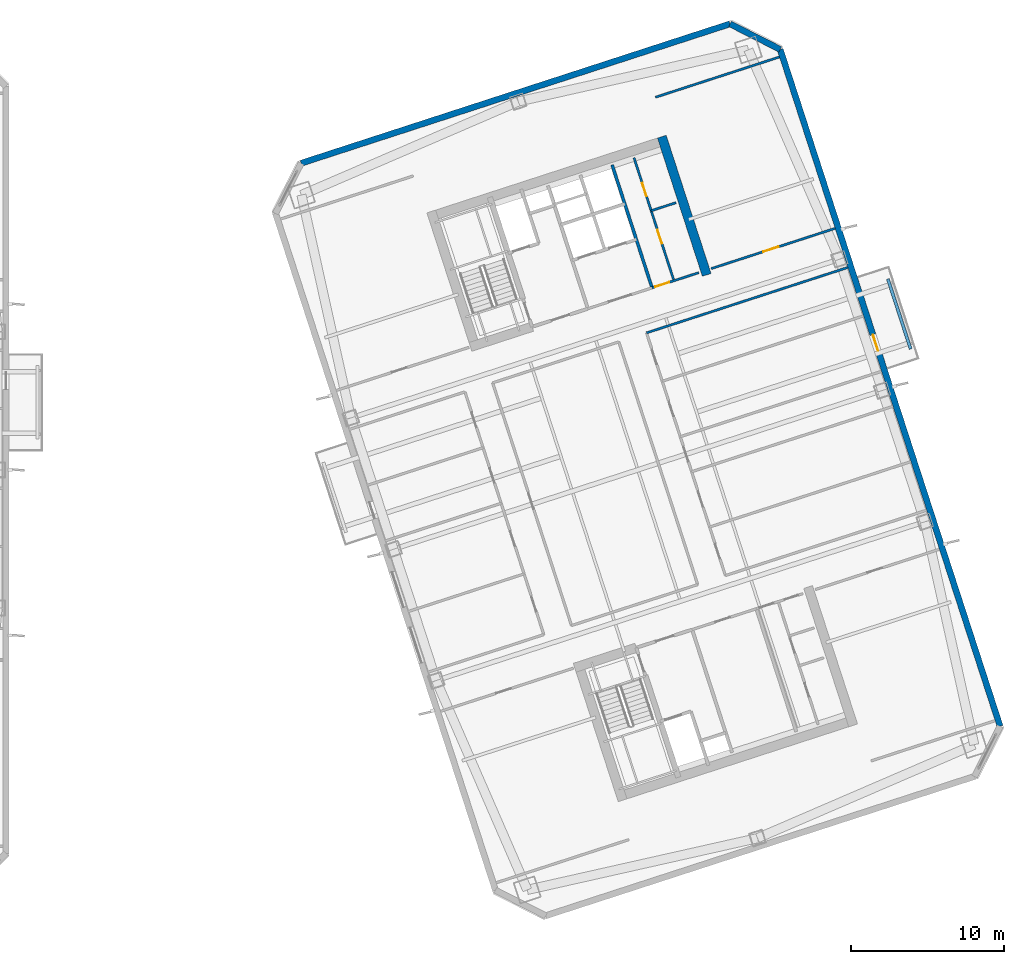
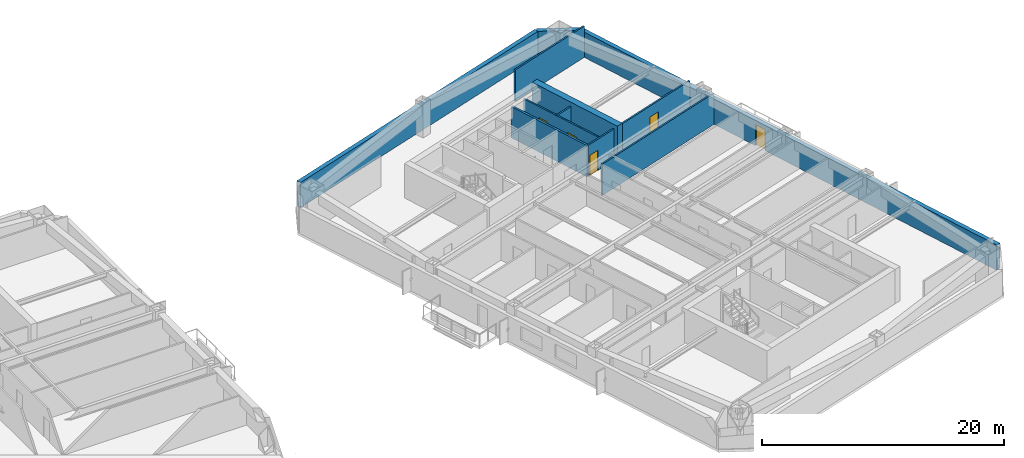
# One storey, part 16 of 23: 12 walls, 5 doors, 5 openings.
"""IFC4 building model written with IfcOpenShell, lengths in metres."""

from ifc_helpers import new_model, si_unit, direction, frame, frame_2d, origin, place, context, subcontext, project, spatial, rectangle, extrude, material, layer, layer_set, type_object, element, fill, save


model = new_model("IFC4")

# Units and contexts
model_context = context("Model", 3, precision=1e-05, world=origin(), true_north=direction((0.0, 1.0)))
body_context = subcontext(model_context, "Body", "Model", "MODEL_VIEW")
ifc_project = project(units=[si_unit("LENGTHUNIT", "METRE"), si_unit("AREAUNIT", "SQUARE_METRE"), si_unit("VOLUMEUNIT", "CUBIC_METRE"), si_unit("PLANEANGLEUNIT", "RADIAN"), si_unit("MASSUNIT", "GRAM", prefix="KILO")], contexts=[model_context])

# Site, building, storey
site_placement = place(None, origin())
site = spatial("IfcSite", under=ifc_project, at=site_placement, CompositionType="ELEMENT")
building_placement = place(site_placement, origin())
building = spatial("IfcBuilding", under=site, at=building_placement, Name="Qiaolan Cultural Towers", CompositionType="ELEMENT")
storey_placement = place(building_placement, frame((0.0, 0.0, 100.050048828125)))
storey = spatial("IfcBuildingStorey", under=building, at=storey_placement, Name="L25", CompositionType="ELEMENT", Elevation=100.050048828125)

# Walls
ifc_material_1 = material(Name="Concrete C55", Category="concrete")
ifc_layer_1 = layer(ifc_material_1, 0.60009765625)
ifc_layer_set_1 = layer_set([ifc_layer_1], Name="Concrete C55")
wall_type_1 = type_object("IfcWallType", Name="WL-CORE-600", PredefinedType="SHEAR", material=ifc_layer_set_1)
wall_1_placement = place(storey_placement, frame((94.4921875, 46.710205078125, 0.0), z_axis=(0.0, 0.0, 1.0), x_axis=(-0.309010370028, 0.95105866865, 0.0)))
element("IfcWall", 1, at=wall_1_placement, inside=storey, type_object=wall_type_1, Name="L25 T2-CN East Core Shear Wall", PredefinedType="SHEAR", context=body_context, shape_type="SweptSolid", body=[
    extrude(rectangle(XDim=9.47998046875, YDim=0.60009765625, at=frame_2d((4.739990234375, 0.0))), origin(), (0.0, 0.0, 1.0), 3.449951171875),
])
ifc_material_2 = material(Name="Precast Concrete C50 Honed Stone Pier", Category="masonry")
ifc_layer_2 = layer(ifc_material_2, 0.39990234375)
ifc_layer_set_2 = layer_set([ifc_layer_2], Name="Precast Concrete C50 Honed Stone Pier")
wall_type_2 = type_object("IfcWallType", Name="WL-EXT-PIER-400", PredefinedType="SOLIDWALL", material=ifc_layer_set_2)
wall_2_placement = place(storey_placement, frame((68.046875, 53.99462890625, 0.0), z_axis=(0.0, 0.0, 1.0), x_axis=(0.95105505922, 0.309021478754, 0.0)))
element("IfcWall", 2, at=wall_2_placement, inside=storey, type_object=wall_type_2, Name="L25 East Tower Precast Pier Facade Wall F3", PredefinedType="SOLIDWALL", context=body_context, shape_type="SweptSolid", body=[
    extrude(rectangle(XDim=29.39990234375, YDim=0.39990234375, at=frame_2d((14.699951171875, 0.0))), origin(), (0.0, 0.0, 1.0), 2.550048828125),
])
wall_3_placement = place(storey_placement, frame((96.0078125, 63.079833984375, 0.0), z_axis=(0.0, 0.0, 1.0), x_axis=(0.891001999643, -0.45399937955, 0.0)))
element("IfcWall", 3, at=wall_3_placement, inside=storey, type_object=wall_type_2, Name="L25 East Tower Precast Pier Facade Wall F4", PredefinedType="SOLIDWALL", context=body_context, shape_type="SweptSolid", body=[
    extrude(rectangle(XDim=3.67724609375, YDim=0.39990234375, at=frame_2d((1.838623046875, 0.0))), origin(), (0.0, 0.0, 1.0), 2.550048828125),
])

# Wall, opening, door
wall_4_placement = place(storey_placement, frame((99.2841796875, 61.410400390625, 0.0), z_axis=(0.0, 0.0, 1.0), x_axis=(0.309017542002, -0.95105633836, 0.0)))
wall_4 = element("IfcWall", 4, at=wall_4_placement, inside=storey, type_object=wall_type_2, Name="L25 East Tower Precast Pier Facade Wall F5", PredefinedType="SOLIDWALL", context=body_context, shape_type="SweptSolid", body=[
    extrude(rectangle(XDim=46.39990234375, YDim=0.39990234375, at=frame_2d((23.199951171875, 0.0))), origin(), (0.0, 0.0, 1.0), 2.550048828125),
])
opening_1_placement = place(wall_4_placement, frame((19.550048828125, 0.0, 0.0)))
opening_1 = element("IfcOpeningElement", 5, at=opening_1_placement, cuts=wall_4, Name="Opening BD-01", PredefinedType="OPENING", context=body_context, shape_type="SweptSolid", body=[
    extrude(rectangle(XDim=1.10009765625, YDim=2.14990234375, at=frame_2d((0.550048828125, 1.074951171875))), frame((0.0, 0.2099609375, 0.0), z_axis=(0.0, -1.0, 0.0), x_axis=(1.0, 0.0, 0.0)), (0.0, 0.0, 1.0), 0.419921875),
])
ifc_material_3 = material(Name="Thermally Broken Aluminium Glazed Terrace Door", Category="aluminium")
door_type_1 = type_object("IfcDoorType", Name="DR-BAL-1100", OperationType="NOTDEFINED", PredefinedType="DOOR", material=ifc_material_3)
door_1_placement = place(opening_1_placement, origin())
door_1 = element("IfcDoor", 6, at=door_1_placement, inside=storey, type_object=door_type_1, Name="L25 T2 East Tree Balcony Door", OperationType="SINGLE_SWING_RIGHT", OverallHeight=2.14990234375, OverallWidth=1.10009765625, PredefinedType="DOOR", context=body_context, shape_type="SweptSolid", body=[
    extrude(rectangle(XDim=1.10009765625, YDim=2.14990234375, at=frame_2d((0.550048828125, 1.074951171875))), frame((0.0, 0.02490234375, 0.0), z_axis=(0.0, -1.0, 0.0), x_axis=(1.0, 0.0, 0.0)), (0.0, 0.0, 1.0), 0.050048828125),
])
fill(opening_1, door_1)

# Wall
ifc_material_4 = material(Name="Concrete C35 Fire Wall", Category="concrete")
ifc_layer_3 = layer(ifc_material_4, 0.199951171875)
ifc_layer_set_3 = layer_set([ifc_layer_3], Name="Concrete C35 Fire Wall")
wall_type_3 = type_object("IfcWallType", Name="WL-FIRE-200", PredefinedType="PARTITIONING", material=ifc_layer_set_3)
wall_5_placement = place(storey_placement, frame((90.92822265625, 45.86767578125, 0.0), z_axis=(0.0, 0.0, 1.0), x_axis=(-0.309042196757, 0.951048327176, 0.0)))
element("IfcWall", 7, at=wall_5_placement, inside=storey, type_object=wall_type_3, Name="L25 T2-CN Lift Core East Wall", PredefinedType="PARTITIONING", context=body_context, shape_type="SweptSolid", body=[
    extrude(rectangle(XDim=8.429931640625, YDim=0.199951171875, at=frame_2d((4.21484375, 0.0))), origin(), (0.0, 0.0, 1.0), 3.155029296875),
])

# Wall, opening, door
ifc_material_5 = material(Name="Autoclaved Aerated Concrete Block B06", Category="concrete")
ifc_layer_4 = layer(ifc_material_5, 0.14990234375)
ifc_layer_set_4 = layer_set([ifc_layer_4], Name="Autoclaved Aerated Concrete Block B06")
wall_type_4 = type_object("IfcWallType", Name="WL-PART-150", PredefinedType="PARTITIONING", material=ifc_layer_set_4)
wall_6_placement = place(storey_placement, frame((90.92822265625, 45.86767578125, 0.0), z_axis=(0.0, 0.0, 1.0), x_axis=(0.951059297078, 0.309008435874, 0.0)))
wall_6 = element("IfcWall", 8, at=wall_6_placement, inside=storey, type_object=wall_type_4, Name="L25 T2-CN Sanitary Core Front Wall", PredefinedType="PARTITIONING", context=body_context, shape_type="SweptSolid", body=[
    extrude(rectangle(XDim=3.19970703125, YDim=0.14990234375, at=frame_2d((1.599853515625, 0.0))), origin(), (0.0, 0.0, 1.0), 3.155029296875),
])
opening_2_placement = place(wall_6_placement, frame((0.219970703125, 0.0, 0.0)))
opening_2 = element("IfcOpeningElement", 9, at=opening_2_placement, cuts=wall_6, Name="Opening ID-05", PredefinedType="OPENING", context=body_context, shape_type="SweptSolid", body=[
    extrude(rectangle(XDim=0.949951171875, YDim=2.050048828125, at=frame_2d((0.47509765625, 1.02490234375))), frame((0.0, 0.0849609375, 0.0), z_axis=(0.0, -1.0, 0.0), x_axis=(1.0, 0.0, 0.0)), (0.0, 0.0, 1.0), 0.169921875),
])
ifc_material_6 = material(Name="Fire-Rated Laminate Accessible Core Door", Category="timber")
door_type_2 = type_object("IfcDoorType", Name="DR-INT-950", OperationType="NOTDEFINED", PredefinedType="DOOR", material=ifc_material_6)
door_2_placement = place(opening_2_placement, origin())
door_2 = element("IfcDoor", 10, at=door_2_placement, inside=storey, type_object=door_type_2, Name="L25 Sanitary Lobby Door", OperationType="SINGLE_SWING_LEFT", OverallHeight=2.050048828125, OverallWidth=0.949951171875, PredefinedType="DOOR", context=body_context, shape_type="SweptSolid", body=[
    extrude(rectangle(XDim=0.949951171875, YDim=2.050048828125, at=frame_2d((0.47509765625, 1.02490234375))), frame((0.0, 0.02490234375, 0.0), z_axis=(0.0, -1.0, 0.0), x_axis=(1.0, 0.0, 0.0)), (0.0, 0.0, 1.0), 0.050048828125),
])
fill(opening_2, door_2)

# Wall, openings, doors
wall_7_placement = place(storey_placement, frame((92.354736328125, 46.3310546875, 0.0), z_axis=(0.0, 0.0, 1.0), x_axis=(-0.309007490203, 0.951059604335, 0.0)))
wall_7 = element("IfcWall", 11, at=wall_7_placement, inside=storey, type_object=wall_type_4, Name="L25 T2-CN Washroom Split Wall", PredefinedType="PARTITIONING", context=body_context, shape_type="SweptSolid", body=[
    extrude(rectangle(XDim=8.43017578125, YDim=0.14990234375, at=frame_2d((4.215087890625, 0.0))), origin(), (0.0, 0.0, 1.0), 3.155029296875),
])
opening_3_placement = place(wall_7_placement, frame((2.550048828125, 0.0, 0.0)))
opening_3 = element("IfcOpeningElement", 12, at=opening_3_placement, cuts=wall_7, Name="Opening ID-05", PredefinedType="OPENING", context=body_context, shape_type="SweptSolid", body=[
    extrude(rectangle(XDim=0.949951171875, YDim=2.050048828125, at=frame_2d((0.47509765625, 1.02490234375))), frame((0.0, 0.0849609375, 0.0), z_axis=(0.0, -1.0, 0.0), x_axis=(1.0, 0.0, 0.0)), (0.0, 0.0, 1.0), 0.169921875),
])
opening_4_placement = place(wall_7_placement, frame((5.800048828125, 0.0, 0.0)))
opening_4 = element("IfcOpeningElement", 13, at=opening_4_placement, cuts=wall_7, Name="Opening ID-06", PredefinedType="OPENING", context=body_context, shape_type="SweptSolid", body=[
    extrude(rectangle(XDim=0.89990234375, YDim=2.050048828125, at=frame_2d((0.449951171875, 1.02490234375))), frame((0.0, 0.0849609375, 0.0), z_axis=(0.0, -1.0, 0.0), x_axis=(1.0, 0.0, 0.0)), (0.0, 0.0, 1.0), 0.169921875),
])
ifc_material_7 = material(Name="Fire-Rated Laminate Core Service Door", Category="timber")
door_type_3 = type_object("IfcDoorType", Name="DR-INT-900", OperationType="NOTDEFINED", PredefinedType="DOOR", material=ifc_material_7)
door_3_placement = place(opening_4_placement, origin())
door_3 = element("IfcDoor", 14, at=door_3_placement, inside=storey, type_object=door_type_3, Name="L25 First-Aid Room Door", OperationType="SINGLE_SWING_RIGHT", OverallHeight=2.050048828125, OverallWidth=0.89990234375, PredefinedType="DOOR", context=body_context, shape_type="SweptSolid", body=[
    extrude(rectangle(XDim=0.89990234375, YDim=2.050048828125, at=frame_2d((0.449951171875, 1.02490234375))), frame((0.0, 0.02490234375, 0.0), z_axis=(0.0, -1.0, 0.0), x_axis=(1.0, 0.0, 0.0)), (0.0, 0.0, 1.0), 0.050048828125),
])
fill(opening_4, door_3)
door_4_placement = place(opening_3_placement, origin())
door_4 = element("IfcDoor", 15, at=door_4_placement, inside=storey, type_object=door_type_2, Name="L25 Accessible Washroom Door", OperationType="SINGLE_SWING_LEFT", OverallHeight=2.050048828125, OverallWidth=0.949951171875, PredefinedType="DOOR", context=body_context, shape_type="SweptSolid", body=[
    extrude(rectangle(XDim=0.949951171875, YDim=2.050048828125, at=frame_2d((0.47509765625, 1.02490234375))), frame((0.0, 0.02490234375, 0.0), z_axis=(0.0, -1.0, 0.0), x_axis=(1.0, 0.0, 0.0)), (0.0, 0.0, 1.0), 0.050048828125),
])
fill(opening_3, door_4)

# Walls
wall_8_placement = place(storey_placement, frame((90.871337890625, 50.896240234375, 0.0), z_axis=(0.0, 0.0, 1.0), x_axis=(0.951054116971, 0.309024378638, 0.0)))
element("IfcWall", 16, at=wall_8_placement, inside=storey, type_object=wall_type_4, Name="L25 T2-CN First-Aid Wall", PredefinedType="PARTITIONING", context=body_context, shape_type="SweptSolid", body=[
    extrude(rectangle(XDim=1.7001953125, YDim=0.14990234375, at=frame_2d((0.85009765625, 0.0))), origin(), (0.0, 0.0, 1.0), 3.155029296875),
])
wall_9_placement = place(storey_placement, frame((91.14892578125, 58.294189453125, 0.0), z_axis=(0.0, 0.0, 1.0), x_axis=(0.951062770994, 0.308997743729, 0.0)))
element("IfcWall", 17, at=wall_9_placement, inside=storey, type_object=wall_type_4, Name="L25 T2 Flank Wall FLK-NE", PredefinedType="PARTITIONING", context=body_context, shape_type="SweptSolid", body=[
    extrude(rectangle(XDim=8.5, YDim=0.14990234375, at=frame_2d((4.25, 0.0))), origin(), (0.0, 0.0, 1.0), 3.155029296875),
])

# Wall, opening, door
wall_10_placement = place(storey_placement, frame((94.77978515625, 47.119140625, 0.0), z_axis=(0.0, 0.0, 1.0), x_axis=(0.951054329824, 0.309023723562, 0.0)))
wall_10 = element("IfcWall", 18, at=wall_10_placement, inside=storey, type_object=wall_type_4, Name="L25 T2 Flank Front FLK-NE", PredefinedType="PARTITIONING", context=body_context, shape_type="SweptSolid", body=[
    extrude(rectangle(XDim=8.5, YDim=0.14990234375, at=frame_2d((4.25, 0.0))), origin(), (0.0, 0.0, 1.0), 3.155029296875),
])
opening_5_placement = place(wall_10_placement, frame((3.570068359375, 0.0, 0.0)))
opening_5 = element("IfcOpeningElement", 19, at=opening_5_placement, cuts=wall_10, Name="Opening ID-07", PredefinedType="OPENING", context=body_context, shape_type="SweptSolid", body=[
    extrude(rectangle(XDim=1.050048828125, YDim=2.050048828125, at=frame_2d((0.52490234375, 1.02490234375))), frame((0.0, 0.0849609375, 0.0), z_axis=(0.0, -1.0, 0.0), x_axis=(1.0, 0.0, 0.0)), (0.0, 0.0, 1.0), 0.169921875),
])
ifc_material_8 = material(Name="Oak Veneer Consultation Door", Category="timber")
door_type_4 = type_object("IfcDoorType", Name="DR-INT-1050", OperationType="NOTDEFINED", PredefinedType="DOOR", material=ifc_material_8)
door_5_placement = place(opening_5_placement, origin())
door_5 = element("IfcDoor", 20, at=door_5_placement, inside=storey, type_object=door_type_4, Name="L25 T2 Corner Studio Door", OperationType="SINGLE_SWING_LEFT", OverallHeight=2.050048828125, OverallWidth=1.050048828125, PredefinedType="DOOR", context=body_context, shape_type="SweptSolid", body=[
    extrude(rectangle(XDim=1.050048828125, YDim=2.050048828125, at=frame_2d((0.52490234375, 1.02490234375))), frame((0.0, 0.02490234375, 0.0), z_axis=(0.0, -1.0, 0.0), x_axis=(1.0, 0.0, 0.0)), (0.0, 0.0, 1.0), 0.050048828125),
])
fill(opening_5, door_5)

# Walls
wall_11_placement = place(storey_placement, frame((90.5673828125, 42.9326171875, 0.0), z_axis=(0.0, 0.0, 1.0), x_axis=(0.951058377365, 0.309011266531, 0.0)))
element("IfcWall", 21, at=wall_11_placement, inside=storey, type_object=wall_type_4, Name="L25 T2 Interior Wall", PredefinedType="PARTITIONING", context=body_context, shape_type="SweptSolid", body=[
    extrude(rectangle(XDim=13.800048828125, YDim=0.14990234375, at=frame_2d((6.89990234375, 0.0))), origin(), (0.0, 0.0, 1.0), 3.155029296875),
])
ifc_material_9 = material(Name="Precast Concrete C45 Tree Planter Upstand", Category="concrete")
ifc_layer_5 = layer(ifc_material_9, 0.199951171875)
ifc_layer_set_5 = layer_set([ifc_layer_5], Name="Precast Concrete C45 Tree Planter Upstand")
wall_type_5 = type_object("IfcWallType", Name="WL-PLANTER-200", PredefinedType="PARAPET", material=ifc_layer_set_5)
wall_12_placement = place(storey_placement, frame((107.784912109375, 41.881591796875, 0.0), z_axis=(0.0, 0.0, 1.0), x_axis=(-0.309032019345, 0.951051634255, 0.0)))
element("IfcWall", 22, at=wall_12_placement, inside=storey, type_object=wall_type_5, Name="L25 T2 Tree Balcony Soil Planter Box E", PredefinedType="PARAPET", context=body_context, shape_type="SweptSolid", body=[
    extrude(rectangle(XDim=4.800048828125, YDim=0.199951171875, at=frame_2d((2.39990234375, 0.0))), origin(), (0.0, 0.0, 1.0), 0.75),
])

save(model, "model.ifc")
